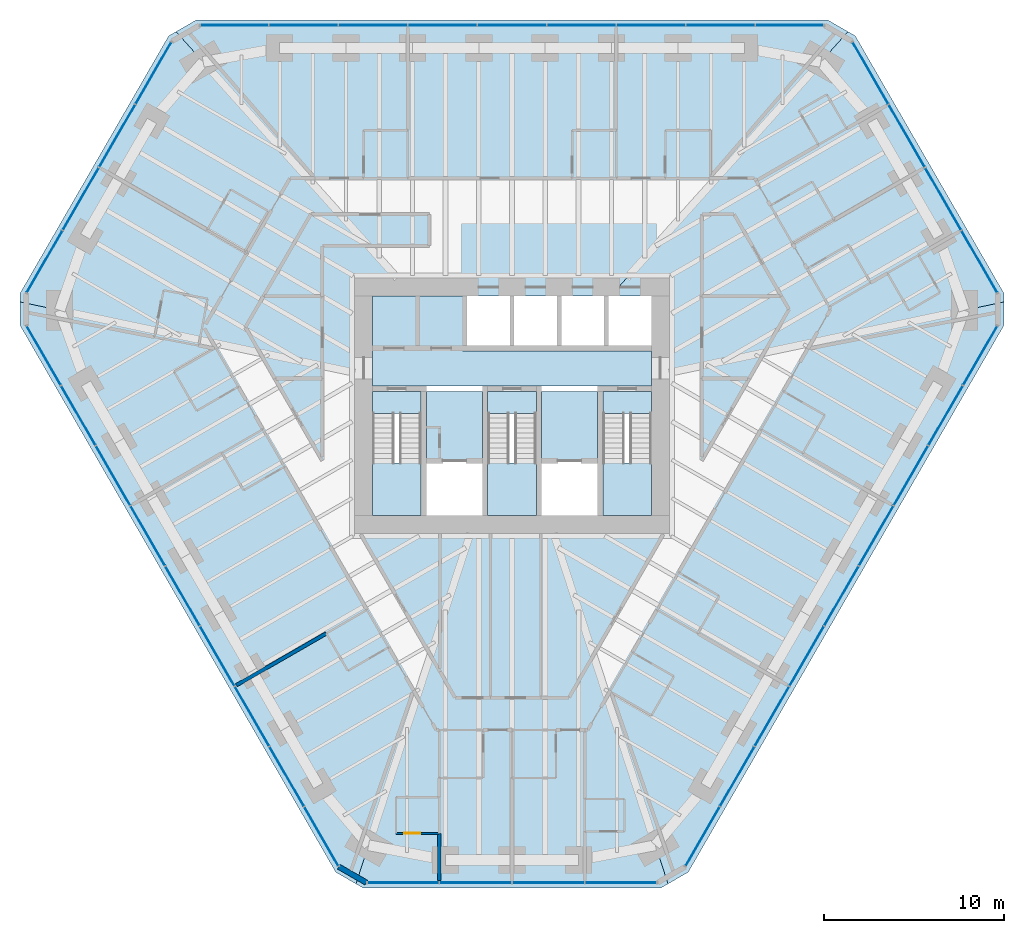
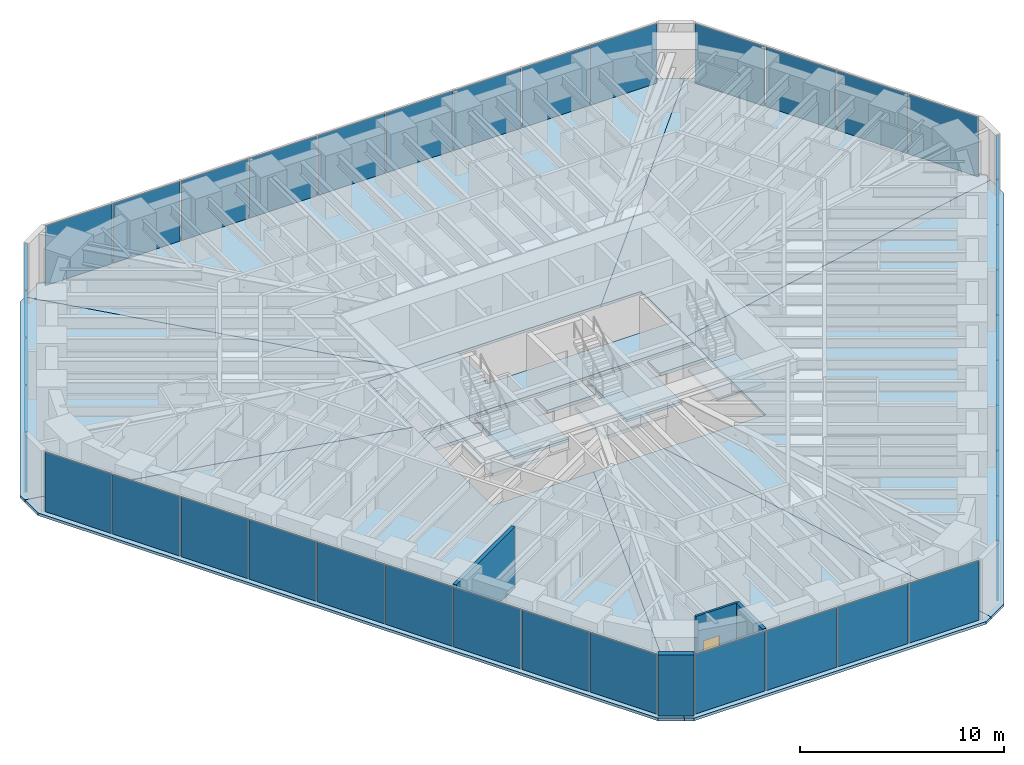
# One storey, part 10 of 17: 39 plates, 15 slabs, 4 walls, 1 door, 1 opening, 9 elements without a shape of their own.
"""IFC4 building model written with IfcOpenShell, lengths in metres."""

from ifc_helpers import new_model, si_unit, direction, frame, frame_2d, origin, origin_2d, place, context, subcontext, project, spatial, polyline, rectangle, outline, extrude, material, layer, layer_set, type_object, element, fill, aggregate, save


model = new_model("IFC4")

# Units and contexts
model_context = context("Model", 3, precision=1e-05, world=origin(), true_north=direction((0.0, 1.0)))
body_context = subcontext(model_context, "Body", "Model", "MODEL_VIEW")
ifc_project = project(units=[si_unit("LENGTHUNIT", "METRE"), si_unit("AREAUNIT", "SQUARE_METRE"), si_unit("VOLUMEUNIT", "CUBIC_METRE"), si_unit("PLANEANGLEUNIT", "RADIAN"), si_unit("MASSUNIT", "GRAM", prefix="KILO")], contexts=[model_context])

# Site, building, storey
site_placement = place(None, origin())
site = spatial("IfcSite", under=ifc_project, at=site_placement, CompositionType="ELEMENT")
building_placement = place(site_placement, origin())
building = spatial("IfcBuilding", under=site, at=building_placement, Name="Sandreach Pilgrim Tower", CompositionType="ELEMENT")
storey_placement = place(building_placement, frame((0.0, 0.0, 217.39990234375)))
storey = spatial("IfcBuildingStorey", under=building, at=storey_placement, Name="L54", CompositionType="ELEMENT", Elevation=217.39990234375)

# Curtain wall, plates
ifc_material_1 = material(Name="Aluminium framed curtain wall", Category="aluminium")
curtain_wall_type = type_object("IfcCurtainWallType", Name="Upper hotel tower curtain wall", PredefinedType="NOTDEFINED", material=ifc_material_1)
curtain_wall_1_placement = place(storey_placement, origin())
curtain_wall_1 = element("IfcCurtainWall", 1, at=curtain_wall_1_placement, inside=storey, type_object=curtain_wall_type, Name="CW-3 L54 N", PredefinedType="NOTDEFINED")
ifc_material_2 = material(Name="Insulating glass unit 12.76 laminated + 20 argon + 12.76 laminated", Category="glass")
ifc_layer_1 = layer(ifc_material_2, 0.0458984375)
ifc_layer_set_1 = layer_set([ifc_layer_1], Name="CW-3 panel")
plate_type = type_object("IfcPlateType", Name="CW-3 panel", PredefinedType="CURTAIN_PANEL", material=ifc_layer_set_1)
plate_1_placement = place(storey_placement, frame((-15.44140625, 21.16015625, 0.0), z_axis=(0.0, 0.0, 1.0), x_axis=(1.0, 0.0, 0.0)))
plate_1 = element("IfcPlate", 2, at=plate_1_placement, type_object=plate_type, Name="CW-3 panel 1", PredefinedType="CURTAIN_PANEL", context=body_context, shape_type="SweptSolid", body=[
    extrude(rectangle(XDim=3.766845703125, YDim=0.0458984375, at=origin_2d()), origin(), (0.0, 0.0, 1.0), 3.570068359375),
])
plate_2_placement = place(storey_placement, frame((-11.59326171875, 21.16015625, 0.0), z_axis=(0.0, 0.0, 1.0), x_axis=(1.0, 0.0, 0.0)))
plate_2 = element("IfcPlate", 3, at=plate_2_placement, type_object=plate_type, Name="CW-3 panel 2", PredefinedType="CURTAIN_PANEL", context=body_context, shape_type="SweptSolid", body=[
    extrude(rectangle(XDim=3.79931640625, YDim=0.0458984375, at=origin_2d()), origin(), (0.0, 0.0, 1.0), 3.570068359375),
])
plate_3_placement = place(storey_placement, frame((-7.728759765625, 21.16015625, 0.0), z_axis=(0.0, 0.0, 1.0), x_axis=(1.0, 0.0, 0.0)))
plate_3 = element("IfcPlate", 4, at=plate_3_placement, type_object=plate_type, Name="CW-3 panel 3", PredefinedType="CURTAIN_PANEL", context=body_context, shape_type="SweptSolid", body=[
    extrude(rectangle(XDim=3.79931640625, YDim=0.0458984375, at=origin_2d()), origin(), (0.0, 0.0, 1.0), 3.570068359375),
])
plate_4_placement = place(storey_placement, frame((-3.864501953125, 21.16015625, 0.0), z_axis=(0.0, 0.0, 1.0), x_axis=(1.0, 0.0, 0.0)))
plate_4 = element("IfcPlate", 5, at=plate_4_placement, type_object=plate_type, Name="CW-3 panel 4", PredefinedType="CURTAIN_PANEL", context=body_context, shape_type="SweptSolid", body=[
    extrude(rectangle(XDim=3.79931640625, YDim=0.0458984375, at=origin_2d()), origin(), (0.0, 0.0, 1.0), 3.570068359375),
])
plate_5_placement = place(storey_placement, frame((0.0, 21.16015625, 0.0), z_axis=(0.0, 0.0, 1.0), x_axis=(1.0, 0.0, 0.0)))
plate_5 = element("IfcPlate", 6, at=plate_5_placement, type_object=plate_type, Name="CW-3 panel 5", PredefinedType="CURTAIN_PANEL", context=body_context, shape_type="SweptSolid", body=[
    extrude(rectangle(XDim=3.79931640625, YDim=0.0458984375, at=origin_2d()), origin(), (0.0, 0.0, 1.0), 3.570068359375),
])
plate_6_placement = place(storey_placement, frame((3.864501953125, 21.16015625, 0.0), z_axis=(0.0, 0.0, 1.0), x_axis=(1.0, 0.0, 0.0)))
plate_6 = element("IfcPlate", 7, at=plate_6_placement, type_object=plate_type, Name="CW-3 panel 6", PredefinedType="CURTAIN_PANEL", context=body_context, shape_type="SweptSolid", body=[
    extrude(rectangle(XDim=3.79931640625, YDim=0.0458984375, at=origin_2d()), origin(), (0.0, 0.0, 1.0), 3.570068359375),
])
plate_7_placement = place(storey_placement, frame((7.728759765625, 21.16015625, 0.0), z_axis=(0.0, 0.0, 1.0), x_axis=(1.0, 0.0, 0.0)))
plate_7 = element("IfcPlate", 8, at=plate_7_placement, type_object=plate_type, Name="CW-3 panel 7", PredefinedType="CURTAIN_PANEL", context=body_context, shape_type="SweptSolid", body=[
    extrude(rectangle(XDim=3.79931640625, YDim=0.0458984375, at=origin_2d()), origin(), (0.0, 0.0, 1.0), 3.570068359375),
])
plate_8_placement = place(storey_placement, frame((11.59326171875, 21.16015625, 0.0), z_axis=(0.0, 0.0, 1.0), x_axis=(1.0, 0.0, 0.0)))
plate_8 = element("IfcPlate", 9, at=plate_8_placement, type_object=plate_type, Name="CW-3 panel 8", PredefinedType="CURTAIN_PANEL", context=body_context, shape_type="SweptSolid", body=[
    extrude(rectangle(XDim=3.79931640625, YDim=0.0458984375, at=origin_2d()), origin(), (0.0, 0.0, 1.0), 3.570068359375),
])
plate_9_placement = place(storey_placement, frame((15.44140625, 21.16015625, 0.0), z_axis=(0.0, 0.0, 1.0), x_axis=(1.0, 0.0, 0.0)))
plate_9 = element("IfcPlate", 10, at=plate_9_placement, type_object=plate_type, Name="CW-3 panel 9", PredefinedType="CURTAIN_PANEL", context=body_context, shape_type="SweptSolid", body=[
    extrude(rectangle(XDim=3.766845703125, YDim=0.0458984375, at=origin_2d()), origin(), (0.0, 0.0, 1.0), 3.570068359375),
])
aggregate(curtain_wall_1, [plate_1, plate_2, plate_3, plate_4, plate_5, plate_6, plate_7, plate_8, plate_9])

curtain_wall_2_placement = place(storey_placement, origin())
curtain_wall_2 = element("IfcCurtainWall", 11, at=curtain_wall_2_placement, inside=storey, type_object=curtain_wall_type, Name="CW-3 L54 NE", PredefinedType="NOTDEFINED")
plate_10_placement = place(storey_placement, frame((19.943115234375, 18.5078125, 0.0), z_axis=(0.0, 0.0, 1.0), x_axis=(0.5, -0.866025403784, 0.0)))
plate_10 = element("IfcPlate", 12, at=plate_10_placement, type_object=plate_type, Name="CW-3 panel 1", PredefinedType="CURTAIN_PANEL", context=body_context, shape_type="SweptSolid", body=[
    extrude(rectangle(XDim=3.951171875, YDim=0.0458984375, at=origin_2d()), origin(), (0.0, 0.0, 1.0), 3.570068359375),
])
plate_11_placement = place(storey_placement, frame((21.959228515625, 15.015625, 0.0), z_axis=(0.0, 0.0, 1.0), x_axis=(0.5, -0.866025403784, 0.0)))
plate_11 = element("IfcPlate", 13, at=plate_11_placement, type_object=plate_type, Name="CW-3 panel 2", PredefinedType="CURTAIN_PANEL", context=body_context, shape_type="SweptSolid", body=[
    extrude(rectangle(XDim=3.983642578125, YDim=0.0458984375, at=origin_2d()), origin(), (0.0, 0.0, 1.0), 3.570068359375),
])
plate_12_placement = place(storey_placement, frame((23.983642578125, 11.509521484375, 0.0), z_axis=(0.0, 0.0, 1.0), x_axis=(0.5, -0.866025403784, 0.0)))
plate_12 = element("IfcPlate", 14, at=plate_12_placement, type_object=plate_type, Name="CW-3 panel 3", PredefinedType="CURTAIN_PANEL", context=body_context, shape_type="SweptSolid", body=[
    extrude(rectangle(XDim=3.983642578125, YDim=0.0458984375, at=origin_2d()), origin(), (0.0, 0.0, 1.0), 3.570068359375),
])
plate_13_placement = place(storey_placement, frame((25.999755859375, 8.017333984375, 0.0), z_axis=(0.0, 0.0, 1.0), x_axis=(0.5, -0.866025403784, 0.0)))
plate_13 = element("IfcPlate", 15, at=plate_13_placement, type_object=plate_type, Name="CW-3 panel 4", PredefinedType="CURTAIN_PANEL", context=body_context, shape_type="SweptSolid", body=[
    extrude(rectangle(XDim=3.951171875, YDim=0.0458984375, at=origin_2d()), origin(), (0.0, 0.0, 1.0), 3.570068359375),
])
aggregate(curtain_wall_2, [plate_10, plate_11, plate_12, plate_13])

curtain_wall_3_placement = place(storey_placement, origin())
curtain_wall_3 = element("IfcCurtainWall", 16, at=curtain_wall_3_placement, inside=storey, type_object=curtain_wall_type, Name="CW-3 L54 SE", PredefinedType="NOTDEFINED")
plate_14_placement = place(storey_placement, frame((26.0458984375, 2.792724609375, 0.0), z_axis=(0.0, 0.0, 1.0), x_axis=(-0.5, -0.866025403784, 0.0)))
plate_14 = element("IfcPlate", 17, at=plate_14_placement, type_object=plate_type, Name="CW-3 panel 1", PredefinedType="CURTAIN_PANEL", context=body_context, shape_type="SweptSolid", body=[
    extrude(rectangle(XDim=3.766845703125, YDim=0.0458984375, at=origin_2d()), origin(), (0.0, 0.0, 1.0), 3.570068359375),
])
plate_15_placement = place(storey_placement, frame((24.121826171875, -0.5400390625, 0.0), z_axis=(0.0, 0.0, 1.0), x_axis=(-0.5, -0.866025403784, 0.0)))
plate_15 = element("IfcPlate", 18, at=plate_15_placement, type_object=plate_type, Name="CW-3 panel 2", PredefinedType="CURTAIN_PANEL", context=body_context, shape_type="SweptSolid", body=[
    extrude(rectangle(XDim=3.79931640625, YDim=0.0458984375, at=origin_2d()), origin(), (0.0, 0.0, 1.0), 3.570068359375),
])
plate_16_placement = place(storey_placement, frame((22.189697265625, -3.88671875, 0.0), z_axis=(0.0, 0.0, 1.0), x_axis=(-0.5, -0.866025403784, 0.0)))
plate_16 = element("IfcPlate", 19, at=plate_16_placement, type_object=plate_type, Name="CW-3 panel 3", PredefinedType="CURTAIN_PANEL", context=body_context, shape_type="SweptSolid", body=[
    extrude(rectangle(XDim=3.79931640625, YDim=0.0458984375, at=origin_2d()), origin(), (0.0, 0.0, 1.0), 3.570068359375),
])
plate_17_placement = place(storey_placement, frame((20.25732421875, -7.2333984375, 0.0), z_axis=(0.0, 0.0, 1.0), x_axis=(-0.5, -0.866025403784, 0.0)))
plate_17 = element("IfcPlate", 20, at=plate_17_placement, type_object=plate_type, Name="CW-3 panel 4", PredefinedType="CURTAIN_PANEL", context=body_context, shape_type="SweptSolid", body=[
    extrude(rectangle(XDim=3.79931640625, YDim=0.0458984375, at=origin_2d()), origin(), (0.0, 0.0, 1.0), 3.570068359375),
])
plate_18_placement = place(storey_placement, frame((18.3251953125, -10.580078125, 0.0), z_axis=(0.0, 0.0, 1.0), x_axis=(-0.5, -0.866025403784, 0.0)))
plate_18 = element("IfcPlate", 21, at=plate_18_placement, type_object=plate_type, Name="CW-3 panel 5", PredefinedType="CURTAIN_PANEL", context=body_context, shape_type="SweptSolid", body=[
    extrude(rectangle(XDim=3.79931640625, YDim=0.0458984375, at=origin_2d()), origin(), (0.0, 0.0, 1.0), 3.570068359375),
])
plate_19_placement = place(storey_placement, frame((16.39306640625, -13.9267578125, 0.0), z_axis=(0.0, 0.0, 1.0), x_axis=(-0.5, -0.866025403784, 0.0)))
plate_19 = element("IfcPlate", 22, at=plate_19_placement, type_object=plate_type, Name="CW-3 panel 6", PredefinedType="CURTAIN_PANEL", context=body_context, shape_type="SweptSolid", body=[
    extrude(rectangle(XDim=3.79931640625, YDim=0.0458984375, at=origin_2d()), origin(), (0.0, 0.0, 1.0), 3.570068359375),
])
plate_20_placement = place(storey_placement, frame((14.460693359375, -17.2734375, 0.0), z_axis=(0.0, 0.0, 1.0), x_axis=(-0.5, -0.866025403784, 0.0)))
plate_20 = element("IfcPlate", 23, at=plate_20_placement, type_object=plate_type, Name="CW-3 panel 7", PredefinedType="CURTAIN_PANEL", context=body_context, shape_type="SweptSolid", body=[
    extrude(rectangle(XDim=3.79931640625, YDim=0.0458984375, at=origin_2d()), origin(), (0.0, 0.0, 1.0), 3.570068359375),
])
plate_21_placement = place(storey_placement, frame((12.528564453125, -20.6201171875, 0.0), z_axis=(0.0, 0.0, 1.0), x_axis=(-0.5, -0.866025403784, 0.0)))
plate_21 = element("IfcPlate", 24, at=plate_21_placement, type_object=plate_type, Name="CW-3 panel 8", PredefinedType="CURTAIN_PANEL", context=body_context, shape_type="SweptSolid", body=[
    extrude(rectangle(XDim=3.79931640625, YDim=0.0458984375, at=origin_2d()), origin(), (0.0, 0.0, 1.0), 3.570068359375),
])
plate_22_placement = place(storey_placement, frame((10.6044921875, -23.95263671875, 0.0), z_axis=(0.0, 0.0, 1.0), x_axis=(-0.5, -0.866025403784, 0.0)))
plate_22 = element("IfcPlate", 25, at=plate_22_placement, type_object=plate_type, Name="CW-3 panel 9", PredefinedType="CURTAIN_PANEL", context=body_context, shape_type="SweptSolid", body=[
    extrude(rectangle(XDim=3.766845703125, YDim=0.0458984375, at=origin_2d()), origin(), (0.0, 0.0, 1.0), 3.570068359375),
])
aggregate(curtain_wall_3, [plate_14, plate_15, plate_16, plate_17, plate_18, plate_19, plate_20, plate_21, plate_22])

curtain_wall_4_placement = place(storey_placement, origin())
curtain_wall_4 = element("IfcCurtainWall", 26, at=curtain_wall_4_placement, inside=storey, type_object=curtain_wall_type, Name="CW-3 L54 S", PredefinedType="NOTDEFINED")
plate_23_placement = place(storey_placement, frame((6.056884765625, -26.525146484375, 0.0), z_axis=(0.0, 0.0, 1.0), x_axis=(-1.0, 0.0, 0.0)))
plate_23 = element("IfcPlate", 27, at=plate_23_placement, type_object=plate_type, Name="CW-3 panel 1", PredefinedType="CURTAIN_PANEL", context=body_context, shape_type="SweptSolid", body=[
    extrude(rectangle(XDim=3.951171875, YDim=0.0458984375, at=origin_2d()), origin(), (0.0, 0.0, 1.0), 3.570068359375),
])
plate_24_placement = place(storey_placement, frame((2.0244140625, -26.525146484375, 0.0), z_axis=(0.0, 0.0, 1.0), x_axis=(-1.0, 0.0, 0.0)))
plate_24 = element("IfcPlate", 28, at=plate_24_placement, type_object=plate_type, Name="CW-3 panel 2", PredefinedType="CURTAIN_PANEL", context=body_context, shape_type="SweptSolid", body=[
    extrude(rectangle(XDim=3.983642578125, YDim=0.0458984375, at=origin_2d()), origin(), (0.0, 0.0, 1.0), 3.570068359375),
])
plate_25_placement = place(storey_placement, frame((-2.0244140625, -26.525146484375, 0.0), z_axis=(0.0, 0.0, 1.0), x_axis=(-1.0, 0.0, 0.0)))
plate_25 = element("IfcPlate", 29, at=plate_25_placement, type_object=plate_type, Name="CW-3 panel 3", PredefinedType="CURTAIN_PANEL", context=body_context, shape_type="SweptSolid", body=[
    extrude(rectangle(XDim=3.983642578125, YDim=0.0458984375, at=origin_2d()), origin(), (0.0, 0.0, 1.0), 3.570068359375),
])
plate_26_placement = place(storey_placement, frame((-6.056884765625, -26.525146484375, 0.0), z_axis=(0.0, 0.0, 1.0), x_axis=(-1.0, 0.0, 0.0)))
plate_26 = element("IfcPlate", 30, at=plate_26_placement, type_object=plate_type, Name="CW-3 panel 4", PredefinedType="CURTAIN_PANEL", context=body_context, shape_type="SweptSolid", body=[
    extrude(rectangle(XDim=3.951171875, YDim=0.0458984375, at=origin_2d()), origin(), (0.0, 0.0, 1.0), 3.570068359375),
])
aggregate(curtain_wall_4, [plate_23, plate_24, plate_25, plate_26])

curtain_wall_5_placement = place(storey_placement, origin())
curtain_wall_5 = element("IfcCurtainWall", 31, at=curtain_wall_5_placement, inside=storey, type_object=curtain_wall_type, Name="CW-3 L54 SW", PredefinedType="NOTDEFINED")
plate_27_placement = place(storey_placement, frame((-10.6044921875, -23.95263671875, 0.0), z_axis=(0.0, 0.0, 1.0), x_axis=(-0.5, 0.866025403784, 0.0)))
plate_27 = element("IfcPlate", 32, at=plate_27_placement, type_object=plate_type, Name="CW-3 panel 1", PredefinedType="CURTAIN_PANEL", context=body_context, shape_type="SweptSolid", body=[
    extrude(rectangle(XDim=3.766845703125, YDim=0.0458984375, at=origin_2d()), origin(), (0.0, 0.0, 1.0), 3.570068359375),
])
plate_28_placement = place(storey_placement, frame((-12.528564453125, -20.6201171875, 0.0), z_axis=(0.0, 0.0, 1.0), x_axis=(-0.5, 0.866025403784, 0.0)))
plate_28 = element("IfcPlate", 33, at=plate_28_placement, type_object=plate_type, Name="CW-3 panel 2", PredefinedType="CURTAIN_PANEL", context=body_context, shape_type="SweptSolid", body=[
    extrude(rectangle(XDim=3.79931640625, YDim=0.0458984375, at=origin_2d()), origin(), (0.0, 0.0, 1.0), 3.570068359375),
])
plate_29_placement = place(storey_placement, frame((-14.460693359375, -17.2734375, 0.0), z_axis=(0.0, 0.0, 1.0), x_axis=(-0.5, 0.866025403784, 0.0)))
plate_29 = element("IfcPlate", 34, at=plate_29_placement, type_object=plate_type, Name="CW-3 panel 3", PredefinedType="CURTAIN_PANEL", context=body_context, shape_type="SweptSolid", body=[
    extrude(rectangle(XDim=3.79931640625, YDim=0.0458984375, at=origin_2d()), origin(), (0.0, 0.0, 1.0), 3.570068359375),
])
plate_30_placement = place(storey_placement, frame((-16.39306640625, -13.9267578125, 0.0), z_axis=(0.0, 0.0, 1.0), x_axis=(-0.5, 0.866025403784, 0.0)))
plate_30 = element("IfcPlate", 35, at=plate_30_placement, type_object=plate_type, Name="CW-3 panel 4", PredefinedType="CURTAIN_PANEL", context=body_context, shape_type="SweptSolid", body=[
    extrude(rectangle(XDim=3.79931640625, YDim=0.0458984375, at=origin_2d()), origin(), (0.0, 0.0, 1.0), 3.570068359375),
])
plate_31_placement = place(storey_placement, frame((-18.3251953125, -10.580078125, 0.0), z_axis=(0.0, 0.0, 1.0), x_axis=(-0.5, 0.866025403784, 0.0)))
plate_31 = element("IfcPlate", 36, at=plate_31_placement, type_object=plate_type, Name="CW-3 panel 5", PredefinedType="CURTAIN_PANEL", context=body_context, shape_type="SweptSolid", body=[
    extrude(rectangle(XDim=3.79931640625, YDim=0.0458984375, at=origin_2d()), origin(), (0.0, 0.0, 1.0), 3.570068359375),
])
plate_32_placement = place(storey_placement, frame((-20.25732421875, -7.2333984375, 0.0), z_axis=(0.0, 0.0, 1.0), x_axis=(-0.5, 0.866025403784, 0.0)))
plate_32 = element("IfcPlate", 37, at=plate_32_placement, type_object=plate_type, Name="CW-3 panel 6", PredefinedType="CURTAIN_PANEL", context=body_context, shape_type="SweptSolid", body=[
    extrude(rectangle(XDim=3.79931640625, YDim=0.0458984375, at=origin_2d()), origin(), (0.0, 0.0, 1.0), 3.570068359375),
])
plate_33_placement = place(storey_placement, frame((-22.189697265625, -3.88671875, 0.0), z_axis=(0.0, 0.0, 1.0), x_axis=(-0.5, 0.866025403784, 0.0)))
plate_33 = element("IfcPlate", 38, at=plate_33_placement, type_object=plate_type, Name="CW-3 panel 7", PredefinedType="CURTAIN_PANEL", context=body_context, shape_type="SweptSolid", body=[
    extrude(rectangle(XDim=3.79931640625, YDim=0.0458984375, at=origin_2d()), origin(), (0.0, 0.0, 1.0), 3.570068359375),
])
plate_34_placement = place(storey_placement, frame((-24.121826171875, -0.5400390625, 0.0), z_axis=(0.0, 0.0, 1.0), x_axis=(-0.5, 0.866025403784, 0.0)))
plate_34 = element("IfcPlate", 39, at=plate_34_placement, type_object=plate_type, Name="CW-3 panel 8", PredefinedType="CURTAIN_PANEL", context=body_context, shape_type="SweptSolid", body=[
    extrude(rectangle(XDim=3.79931640625, YDim=0.0458984375, at=origin_2d()), origin(), (0.0, 0.0, 1.0), 3.570068359375),
])
plate_35_placement = place(storey_placement, frame((-26.0458984375, 2.792724609375, 0.0), z_axis=(0.0, 0.0, 1.0), x_axis=(-0.5, 0.866025403784, 0.0)))
plate_35 = element("IfcPlate", 40, at=plate_35_placement, type_object=plate_type, Name="CW-3 panel 9", PredefinedType="CURTAIN_PANEL", context=body_context, shape_type="SweptSolid", body=[
    extrude(rectangle(XDim=3.766845703125, YDim=0.0458984375, at=origin_2d()), origin(), (0.0, 0.0, 1.0), 3.570068359375),
])
aggregate(curtain_wall_5, [plate_27, plate_28, plate_29, plate_30, plate_31, plate_32, plate_33, plate_34, plate_35])

curtain_wall_6_placement = place(storey_placement, origin())
curtain_wall_6 = element("IfcCurtainWall", 41, at=curtain_wall_6_placement, inside=storey, type_object=curtain_wall_type, Name="CW-3 L54 NW", PredefinedType="NOTDEFINED")
plate_36_placement = place(storey_placement, frame((-25.999755859375, 8.017333984375, 0.0), z_axis=(0.0, 0.0, 1.0), x_axis=(0.5, 0.866025403784, 0.0)))
plate_36 = element("IfcPlate", 42, at=plate_36_placement, type_object=plate_type, Name="CW-3 panel 1", PredefinedType="CURTAIN_PANEL", context=body_context, shape_type="SweptSolid", body=[
    extrude(rectangle(XDim=3.951171875, YDim=0.0458984375, at=origin_2d()), origin(), (0.0, 0.0, 1.0), 3.570068359375),
])
plate_37_placement = place(storey_placement, frame((-23.983642578125, 11.509521484375, 0.0), z_axis=(0.0, 0.0, 1.0), x_axis=(0.5, 0.866025403784, 0.0)))
plate_37 = element("IfcPlate", 43, at=plate_37_placement, type_object=plate_type, Name="CW-3 panel 2", PredefinedType="CURTAIN_PANEL", context=body_context, shape_type="SweptSolid", body=[
    extrude(rectangle(XDim=3.983642578125, YDim=0.0458984375, at=origin_2d()), origin(), (0.0, 0.0, 1.0), 3.570068359375),
])
plate_38_placement = place(storey_placement, frame((-21.959228515625, 15.015625, 0.0), z_axis=(0.0, 0.0, 1.0), x_axis=(0.5, 0.866025403784, 0.0)))
plate_38 = element("IfcPlate", 44, at=plate_38_placement, type_object=plate_type, Name="CW-3 panel 3", PredefinedType="CURTAIN_PANEL", context=body_context, shape_type="SweptSolid", body=[
    extrude(rectangle(XDim=3.983642578125, YDim=0.0458984375, at=origin_2d()), origin(), (0.0, 0.0, 1.0), 3.570068359375),
])
plate_39_placement = place(storey_placement, frame((-19.943115234375, 18.5078125, 0.0), z_axis=(0.0, 0.0, 1.0), x_axis=(0.5, 0.866025403784, 0.0)))
plate_39 = element("IfcPlate", 45, at=plate_39_placement, type_object=plate_type, Name="CW-3 panel 4", PredefinedType="CURTAIN_PANEL", context=body_context, shape_type="SweptSolid", body=[
    extrude(rectangle(XDim=3.951171875, YDim=0.0458984375, at=origin_2d()), origin(), (0.0, 0.0, 1.0), 3.570068359375),
])
aggregate(curtain_wall_6, [plate_36, plate_37, plate_38, plate_39])

# Slabs
ifc_material_3 = material(Name="Concrete 8000 psi", Category="concrete")
ifc_layer_2 = layer(ifc_material_3, 0.159912109375)
ifc_layer_set_2 = layer_set([ifc_layer_2], Name="Composite floor slab 160")
slab_type_1 = type_object("IfcSlabType", Name="Composite floor slab 160", PredefinedType="FLOOR", material=ifc_layer_set_2)
slab_1_placement = place(storey_placement, frame((0.0, 0.0, -0.159912109375)))
element("IfcSlab", 46, at=slab_1_placement, inside=storey, type_object=slab_type_1, Name="Floor slab L54 N sector", PredefinedType="FLOOR", context=body_context, shape_type="SweptSolid", body=[
    extrude(outline(polyline([(-17.56298828125, 21.460205078125), (17.56298828125, 21.460205078125), (18.68701171875, 20.81103515625), (5.477294921875, 6.10009765625), (-5.477294921875, 6.10009765625), (-18.68701171875, 20.81103515625), (-17.56298828125, 21.460205078125)])), origin(), (0.0, 0.0, 1.0), 0.159912109375),
])
slab_2_placement = place(storey_placement, frame((0.0, 0.0, -0.159912109375)))
element("IfcSlab", 47, at=slab_2_placement, inside=storey, type_object=slab_type_1, Name="Floor slab L54 NE sector", PredefinedType="FLOOR", context=body_context, shape_type="SweptSolid", body=[
    extrude(outline(polyline([(19.095947265625, 20.5751953125), (27.366455078125, 6.25), (27.366455078125, 5.778076171875), (7.75, 1.63623046875), (7.75, 6.10009765625), (5.477294921875, 6.10009765625), (18.68701171875, 20.81103515625), (19.095947265625, 20.5751953125)])), origin(), (0.0, 0.0, 1.0), 0.159912109375),
])
slab_3_placement = place(storey_placement, frame((0.0, 0.0, -0.159912109375)))
element("IfcSlab", 48, at=slab_3_placement, inside=storey, type_object=slab_type_1, Name="Floor slab L54 SE sector", PredefinedType="FLOOR", context=body_context, shape_type="SweptSolid", body=[
    extrude(outline(polyline([(27.366455078125, 4.47998046875), (9.803466796875, -25.940185546875), (8.679443359375, -26.589111328125), (1.9912109375, -6.10009765625), (7.75, -6.10009765625), (7.75, 1.63623046875), (27.366455078125, 5.778076171875), (27.366455078125, 4.47998046875)])), origin(), (0.0, 0.0, 1.0), 0.159912109375),
])
slab_4_placement = place(storey_placement, frame((0.0, 0.0, -0.159912109375)))
element("IfcSlab", 49, at=slab_4_placement, inside=storey, type_object=slab_type_1, Name="Floor slab L54 S sector", PredefinedType="FLOOR", context=body_context, shape_type="SweptSolid", body=[
    extrude(outline(polyline([(8.2705078125, -26.8251953125), (-8.2705078125, -26.8251953125), (-8.679443359375, -26.589111328125), (-1.9912109375, -6.10009765625), (1.9912109375, -6.10009765625), (8.679443359375, -26.589111328125), (8.2705078125, -26.8251953125)])), origin(), (0.0, 0.0, 1.0), 0.159912109375),
])
slab_5_placement = place(storey_placement, frame((0.0, 0.0, -0.159912109375)))
element("IfcSlab", 50, at=slab_5_placement, inside=storey, type_object=slab_type_1, Name="Floor slab L54 SW sector", PredefinedType="FLOOR", context=body_context, shape_type="SweptSolid", body=[
    extrude(outline(polyline([(-9.803466796875, -25.940185546875), (-27.366455078125, 4.47998046875), (-27.366455078125, 5.778076171875), (-7.75, 1.63623046875), (-7.75, -6.10009765625), (-1.9912109375, -6.10009765625), (-8.679443359375, -26.589111328125), (-9.803466796875, -25.940185546875)])), origin(), (0.0, 0.0, 1.0), 0.159912109375),
])
slab_6_placement = place(storey_placement, frame((0.0, 0.0, -0.159912109375)))
element("IfcSlab", 51, at=slab_6_placement, inside=storey, type_object=slab_type_1, Name="Floor slab L54 NW sector", PredefinedType="FLOOR", context=body_context, shape_type="SweptSolid", body=[
    extrude(outline(polyline([(-27.366455078125, 6.25), (-19.095947265625, 20.5751953125), (-18.68701171875, 20.81103515625), (-5.477294921875, 6.10009765625), (-7.75, 6.10009765625), (-7.75, 1.63623046875), (-27.366455078125, 5.778076171875), (-27.366455078125, 6.25)])), origin(), (0.0, 0.0, 1.0), 0.159912109375),
])
slab_7_placement = place(storey_placement, frame((0.0, 0.0, -0.159912109375)))
element("IfcSlab", 52, at=slab_7_placement, inside=storey, type_object=slab_type_1, Name="Core floor slab L54", PredefinedType="FLOOR", context=body_context, shape_type="SweptSolid", body=[
    extrude(outline(polyline([(-2.75, 3.35009765625), (-2.75, 3.050048828125), (-0.125, 3.050048828125), (0.125, 3.050048828125), (2.5, 3.050048828125), (2.75, 3.050048828125), (5.125, 3.050048828125), (5.375, 3.050048828125), (7.75, 3.050048828125), (7.75, 1.10009765625), (5.050048828125, 1.10009765625), (4.75, 1.10009765625), (1.64990234375, 1.10009765625), (1.35009765625, 1.10009765625), (-1.35009765625, 1.10009765625), (-1.64990234375, 1.10009765625), (-4.75, 1.10009765625), (-5.050048828125, 1.10009765625), (-7.75, 1.10009765625), (-7.75, 6.10009765625), (-2.64990234375, 6.10009765625), (-2.64990234375, 3.35009765625), (-2.75, 3.35009765625)])), origin(), (0.0, 0.0, 1.0), 0.159912109375),
])
slab_8_placement = place(storey_placement, frame((0.0, 0.0, -0.159912109375)))
element("IfcSlab", 53, at=slab_8_placement, inside=storey, type_object=slab_type_1, Name="Core floor slab L54 2", PredefinedType="FLOOR", context=body_context, shape_type="SweptSolid", body=[
    extrude(outline(polyline([(-1.64990234375, -3.050048828125), (-4.75, -3.050048828125), (-4.75, 0.800048828125), (-1.64990234375, 0.800048828125), (-1.64990234375, -3.050048828125)])), origin(), (0.0, 0.0, 1.0), 0.159912109375),
])
slab_9_placement = place(storey_placement, frame((0.0, 0.0, -0.159912109375)))
element("IfcSlab", 54, at=slab_9_placement, inside=storey, type_object=slab_type_1, Name="Core floor slab L54 3", PredefinedType="FLOOR", context=body_context, shape_type="SweptSolid", body=[
    extrude(outline(polyline([(4.75, -3.050048828125), (1.64990234375, -3.050048828125), (1.64990234375, 0.800048828125), (4.75, 0.800048828125), (4.75, -3.050048828125)])), origin(), (0.0, 0.0, 1.0), 0.159912109375),
])

# Stair, slabs
ifc_material_4 = material(Name="Concrete 8000 psi", Category="concrete")
stair_type = type_object("IfcStairType", Name="Core exit stair", PredefinedType="HALF_TURN_STAIR", material=ifc_material_4)
stair_1_placement = place(storey_placement, origin())
stair_1 = element("IfcStair", 55, at=stair_1_placement, inside=storey, type_object=stair_type, Name="Exit stair ST1 L54", PredefinedType="HALF_TURN_STAIR")
ifc_material_5 = material(Name="Concrete 8000 psi", Category="concrete")
ifc_layer_3 = layer(ifc_material_5, 0.199951171875)
ifc_layer_set_3 = layer_set([ifc_layer_3], Name="Core stair landing 200")
slab_type_2 = type_object("IfcSlabType", Name="Core stair landing 200", PredefinedType="LANDING", material=ifc_layer_set_3)
slab_10_placement = place(storey_placement, frame((0.0, 0.0, -0.199951171875)))
slab_10 = element("IfcSlab", 56, at=slab_10_placement, type_object=slab_type_2, Name="ST1 landing 1", PredefinedType="LANDING", context=body_context, shape_type="SweptSolid", body=[
    extrude(outline(polyline([(-7.75, -0.425048828125), (-5.050048828125, -0.425048828125), (-5.050048828125, 0.800048828125), (-7.75, 0.800048828125), (-7.75, -0.425048828125)])), origin(), (0.0, 0.0, 1.0), 0.199951171875),
])
slab_11_placement = place(storey_placement, frame((0.0, 0.0, 1.7001953125)))
slab_11 = element("IfcSlab", 57, at=slab_11_placement, type_object=slab_type_2, Name="ST1 landing 2", PredefinedType="LANDING", context=body_context, shape_type="SweptSolid", body=[
    extrude(outline(polyline([(-7.75, -6.10009765625), (-5.050048828125, -6.10009765625), (-5.050048828125, -3.175048828125), (-7.75, -3.175048828125), (-7.75, -6.10009765625)])), origin(), (0.0, 0.0, 1.0), 0.199951171875),
])
aggregate(stair_1, [slab_10, slab_11])

stair_2_placement = place(storey_placement, origin())
stair_2 = element("IfcStair", 58, at=stair_2_placement, inside=storey, type_object=stair_type, Name="Exit stair ST3 L54", PredefinedType="HALF_TURN_STAIR")
slab_12_placement = place(storey_placement, frame((0.0, 0.0, -0.199951171875)))
slab_12 = element("IfcSlab", 59, at=slab_12_placement, type_object=slab_type_2, Name="ST3 landing 1", PredefinedType="LANDING", context=body_context, shape_type="SweptSolid", body=[
    extrude(outline(polyline([(-1.35009765625, -0.425048828125), (1.35009765625, -0.425048828125), (1.35009765625, 0.800048828125), (-1.35009765625, 0.800048828125), (-1.35009765625, -0.425048828125)])), origin(), (0.0, 0.0, 1.0), 0.199951171875),
])
slab_13_placement = place(storey_placement, frame((0.0, 0.0, 1.7001953125)))
slab_13 = element("IfcSlab", 60, at=slab_13_placement, type_object=slab_type_2, Name="ST3 landing 2", PredefinedType="LANDING", context=body_context, shape_type="SweptSolid", body=[
    extrude(outline(polyline([(-1.35009765625, -6.10009765625), (1.35009765625, -6.10009765625), (1.35009765625, -3.175048828125), (-1.35009765625, -3.175048828125), (-1.35009765625, -6.10009765625)])), origin(), (0.0, 0.0, 1.0), 0.199951171875),
])
aggregate(stair_2, [slab_12, slab_13])

stair_3_placement = place(storey_placement, origin())
stair_3 = element("IfcStair", 61, at=stair_3_placement, inside=storey, type_object=stair_type, Name="Exit stair ST2 L54", PredefinedType="HALF_TURN_STAIR")
slab_14_placement = place(storey_placement, frame((0.0, 0.0, -0.199951171875)))
slab_14 = element("IfcSlab", 62, at=slab_14_placement, type_object=slab_type_2, Name="ST2 landing 1", PredefinedType="LANDING", context=body_context, shape_type="SweptSolid", body=[
    extrude(outline(polyline([(5.050048828125, -0.425048828125), (7.75, -0.425048828125), (7.75, 0.800048828125), (5.050048828125, 0.800048828125), (5.050048828125, -0.425048828125)])), origin(), (0.0, 0.0, 1.0), 0.199951171875),
])
slab_15_placement = place(storey_placement, frame((0.0, 0.0, 1.7001953125)))
slab_15 = element("IfcSlab", 63, at=slab_15_placement, type_object=slab_type_2, Name="ST2 landing 2", PredefinedType="LANDING", context=body_context, shape_type="SweptSolid", body=[
    extrude(outline(polyline([(5.050048828125, -6.10009765625), (7.75, -6.10009765625), (7.75, -3.175048828125), (5.050048828125, -3.175048828125), (5.050048828125, -6.10009765625)])), origin(), (0.0, 0.0, 1.0), 0.199951171875),
])
aggregate(stair_3, [slab_14, slab_15])

# Wall, opening, door
ifc_material_6 = material(Name="Moisture-resistant gypsum board on steel studs", Category="steel")
ifc_layer_4 = layer(ifc_material_6, 0.1201171875)
ifc_layer_set_4 = layer_set([ifc_layer_4], Name="Bathroom partition 120")
wall_type_1 = type_object("IfcWallType", Name="Bathroom partition 120", PredefinedType="PARTITIONING", material=ifc_layer_set_4)
wall_1_placement = place(storey_placement, frame((-6.449951171875, -23.780029296875, 0.0), z_axis=(0.0, 0.0, 1.0), x_axis=(1.0, 0.0, 0.0)))
wall_1 = element("IfcWall", 64, at=wall_1_placement, inside=storey, type_object=wall_type_1, Name="Bathroom partition L54-048", PredefinedType="PARTITIONING", context=body_context, shape_type="SweptSolid", body=[
    extrude(rectangle(XDim=2.39990234375, YDim=0.1201171875, at=frame_2d((1.199951171875, 0.0))), origin(), (0.0, 0.0, 1.0), 3.64013671875),
])
opening_placement = place(wall_1_placement, frame((0.449951171875, 0.0, 0.0)))
opening = element("IfcOpeningElement", 65, at=opening_placement, cuts=wall_1, Name="Opening D09-14B", PredefinedType="OPENING", context=body_context, shape_type="SweptSolid", body=[
    extrude(rectangle(XDim=0.89990234375, YDim=2.030029296875, at=frame_2d((0.449951171875, 1.01513671875))), frame((0.0, 0.06005859375, 0.0), z_axis=(0.0, -1.0, 0.0), x_axis=(1.0, 0.0, 0.0)), (0.0, 0.0, 1.0), 0.1201171875),
])
ifc_material_7 = material(Name="Timber door, steel frame", Category="steel")
door_type = type_object("IfcDoorType", Name="Bathroom door", OperationType="SINGLE_SWING_LEFT", PredefinedType="DOOR", material=ifc_material_7)
door_placement = place(opening_placement, origin())
door = element("IfcDoor", 66, at=door_placement, inside=storey, type_object=door_type, Name="Door 5414B", OperationType="SINGLE_SWING_LEFT", OverallHeight=2.030029296875, OverallWidth=0.89990234375, PredefinedType="DOOR", context=body_context, shape_type="SweptSolid", body=[
    extrude(rectangle(XDim=0.89990234375, YDim=2.030029296875, at=frame_2d((0.449951171875, 1.01513671875))), frame((0.0, 0.02490234375, 0.0), z_axis=(0.0, -1.0, 0.0), x_axis=(1.0, 0.0, 0.0)), (0.0, 0.0, 1.0), 0.050048828125),
])
fill(opening, door)

# Walls
ifc_material_8 = material(Name="Double steel stud acoustic wall, gypsum board", Category="steel")
ifc_layer_5 = layer(ifc_material_8, 0.199951171875)
ifc_layer_set_5 = layer_set([ifc_layer_5], Name="Party wall 200")
wall_type_2 = type_object("IfcWallType", Name="Party wall 200", PredefinedType="PARTITIONING", material=ifc_layer_set_5)
wall_2_placement = place(storey_placement, frame((-15.325927734375, -15.5400390625, 0.0), z_axis=(0.0, 0.0, 1.0), x_axis=(0.866342721203, 0.499449986905, 0.0)))
element("IfcWall", 67, at=wall_2_placement, inside=storey, type_object=wall_type_2, Name="Party wall L54-018", PredefinedType="PARTITIONING", context=body_context, shape_type="SweptSolid", body=[
    extrude(rectangle(XDim=5.7666015625, YDim=0.199951171875, at=frame_2d((2.88330078125, 0.0))), origin(), (0.0, 0.0, 1.0), 3.64013671875),
])
wall_3_placement = place(storey_placement, frame((-4.050048828125, -26.409912109375, 0.0), z_axis=(0.0, 0.0, 1.0), x_axis=(0.0, 1.0, 0.0)))
element("IfcWall", 68, at=wall_3_placement, inside=storey, type_object=wall_type_2, Name="Party wall L54-058", PredefinedType="PARTITIONING", context=body_context, shape_type="SweptSolid", body=[
    extrude(rectangle(XDim=2.6298828125, YDim=0.199951171875, at=frame_2d((1.31494140625, 0.0))), origin(), (0.0, 0.0, 1.0), 3.64013671875),
])
ifc_material_9 = material(Name="Terracotta rainscreen on concrete", Category="masonry")
ifc_layer_6 = layer(ifc_material_9, 0.300048828125)
ifc_layer_set_6 = layer_set([ifc_layer_6], Name="Terracotta chamfer pier")
wall_type_3 = type_object("IfcWallType", Name="Terracotta chamfer pier", PredefinedType="SOLIDWALL", material=ifc_layer_set_6)
wall_4_placement = place(storey_placement, frame((-8.097412109375, -26.525146484375, 0.0), z_axis=(0.0, 0.0, 1.0), x_axis=(-0.866036293601, 0.499981137809, 0.0)))
element("IfcWall", 69, at=wall_4_placement, inside=storey, type_object=wall_type_3, Name="Chamfer pier L54 S", PredefinedType="SOLIDWALL", context=body_context, shape_type="SweptSolid", body=[
    extrude(rectangle(XDim=1.77001953125, YDim=0.300048828125, at=frame_2d((0.885009765625, 0.0))), origin(), (0.0, 0.0, 1.0), 3.64013671875),
])

save(model, "model.ifc")
